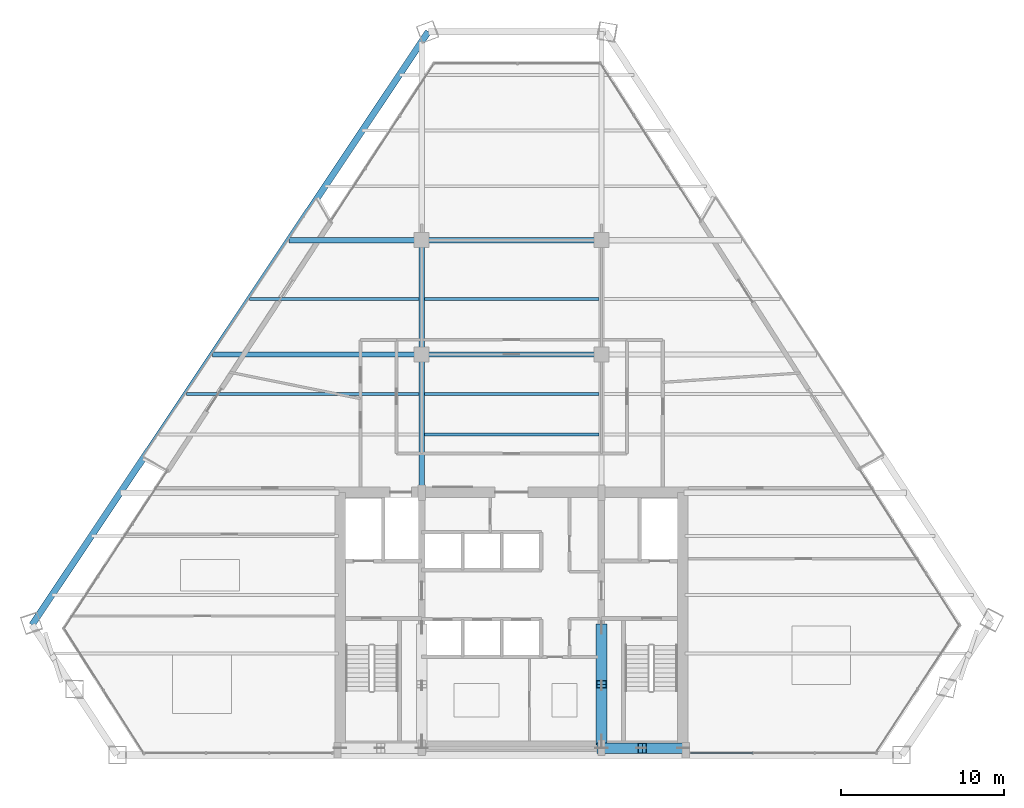
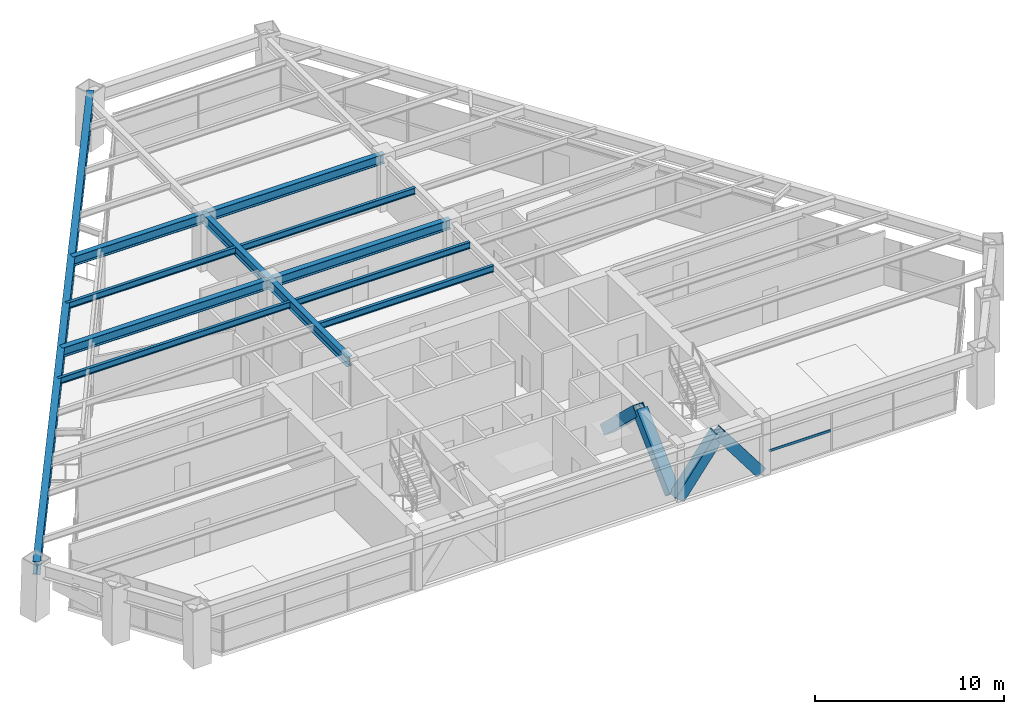
# One storey, part 5 of 14: 12 beams, 5 members, 1 element without a shape of its own.
"""IFC4 building model written with IfcOpenShell, lengths in metres."""

from ifc_helpers import new_model, si_unit, direction, frame, origin, origin_2d, place, context, subcontext, project, spatial, rectangle, hollow_rectangle, i_section, extrude, source, transform, mapped, material, material_profile, profile_set, type_object, type_shapes, element, aggregate, save


model = new_model("IFC4")

# Units and contexts
model_context = context("Model", 3, precision=1e-05, world=origin(), true_north=direction((0.0, 1.0)))
body_context = subcontext(model_context, "Body", "Model", "MODEL_VIEW")
ifc_project = project(units=[si_unit("LENGTHUNIT", "METRE"), si_unit("AREAUNIT", "SQUARE_METRE"), si_unit("VOLUMEUNIT", "CUBIC_METRE"), si_unit("PLANEANGLEUNIT", "RADIAN"), si_unit("MASSUNIT", "GRAM", prefix="KILO")], contexts=[model_context])

# Site, building, storey
site_placement = place(None, origin())
site = spatial("IfcSite", under=ifc_project, at=site_placement, CompositionType="ELEMENT")
building_placement = place(site_placement, origin())
building = spatial("IfcBuilding", under=site, at=building_placement, Name="Varnakhor Terracotta Tower", CompositionType="ELEMENT")
storey_placement = place(building_placement, frame((0.0, 0.0, 133.0)))
storey = spatial("IfcBuildingStorey", under=building, at=storey_placement, Name="L33", CompositionType="ELEMENT", Elevation=133.0)

# Beams
ifc_material_1 = material(Name="Steel S355", Category="steel")
ifc_material_profile_1 = material_profile(ifc_material_1, i_section(OverallWidth=0.324951171875, OverallDepth=0.615966796875, WebThickness=0.013916015625, FlangeThickness=0.02197265625, FilletRadius=0.01806640625, at=origin_2d()), Name="W24X117")
ifc_profile_set_1 = profile_set([ifc_material_profile_1], Name="Steel S355")
beam_type_1 = type_object("IfcBeamType", Name="BM-W24X117", PredefinedType="BEAM", material=ifc_profile_set_1)
shared_shape_1 = source(origin(), body_context, "Body", "SweptSolid", [
    extrude(i_section(OverallWidth=0.324951171875, OverallDepth=0.615966796875, WebThickness=0.013916015625, FlangeThickness=0.02197265625, FilletRadius=0.01806640625, at=origin_2d()), origin(), (0.0, 0.0, 1.0), 8.449951171875),
])
type_shapes(beam_type_1, [shared_shape_1])
beam_1_placement = place(storey_placement, frame((-5.5, 16.050048828125, 3.162109375), z_axis=(0.0, 1.0, 0.0), x_axis=(-1.0, 0.0, 0.0)))
element("IfcBeam", 1, at=beam_1_placement, inside=storey, type_object=beam_type_1, Name="L33 Primary Girder NS1-W", PredefinedType="BEAM", context=body_context, shape_type="MappedRepresentation", body=[
    mapped(shared_shape_1, transform((0.0, 0.0, 0.0), scale=1.0)),
])
shared_shape_2 = source(origin(), body_context, "Body", "SweptSolid", [
    extrude(i_section(OverallWidth=0.324951171875, OverallDepth=0.615966796875, WebThickness=0.013916015625, FlangeThickness=0.02197265625, FilletRadius=0.01806640625, at=origin_2d()), origin(), (0.0, 0.0, 1.0), 7.0),
])
beam_2_placement = place(storey_placement, frame((-5.5, 24.5, 3.162109375), z_axis=(0.0, 1.0, 0.0), x_axis=(-1.0, 0.0, 0.0)))
element("IfcBeam", 2, at=beam_2_placement, inside=storey, type_object=beam_type_1, Name="L33 Primary Girder NS2-W", PredefinedType="BEAM", context=body_context, shape_type="MappedRepresentation", body=[
    mapped(shared_shape_2, transform((0.0, 0.0, 0.0), scale=1.0)),
])
shared_shape_3 = source(origin(), body_context, "Body", "SweptSolid", [
    extrude(i_section(OverallWidth=0.324951171875, OverallDepth=0.615966796875, WebThickness=0.013916015625, FlangeThickness=0.02197265625, FilletRadius=0.01806640625, at=origin_2d()), origin(), (0.0, 0.0, 1.0), 11.0),
])
for number, where, z_axis, x_axis, name in (
    (3, (-5.5, 24.5, 3.162109375), (1.0, 0.0, 0.0), (0.0, 1.0, 0.0), "L33 Primary Girder EW2-2"),
    (4, (-5.5, 31.5, 3.162109375), (1.0, 0.0, 0.0), (0.0, 1.0, 0.0), "L33 Primary Girder EW3-2"),
):
    element("IfcBeam", number, at=place(storey_placement, frame(where, z_axis=z_axis, x_axis=x_axis)), inside=storey, type_object=beam_type_1, Name=name, PredefinedType="BEAM", context=body_context, shape_type="MappedRepresentation", body=[
        mapped(shared_shape_3, transform((0.0, 0.0, 0.0), scale=1.0)),
    ])
ifc_material_profile_2 = material_profile(ifc_material_1, i_section(OverallWidth=0.179931640625, OverallDepth=0.4130859375, WebThickness=0.009765625, FlangeThickness=0.01611328125, FilletRadius=0.01806640625, at=origin_2d()), Name="W16X50")
ifc_profile_set_2 = profile_set([ifc_material_profile_2], Name="Steel S355")
beam_type_2 = type_object("IfcBeamType", Name="JST-W16X50", PredefinedType="JOIST", material=ifc_profile_set_2)
shared_shape_4 = source(origin(), body_context, "Body", "SweptSolid", [
    extrude(i_section(OverallWidth=0.179931640625, OverallDepth=0.4130859375, WebThickness=0.009765625, FlangeThickness=0.01611328125, FilletRadius=0.01806640625, at=origin_2d()), origin(), (0.0, 0.0, 1.0), 10.68310546875),
])
for number, where, z_axis, x_axis, name in (
    (5, (-5.341552734375, 19.60009765625, 3.263427734375), (1.0, 0.0, 0.0), (0.0, 1.0, 0.0), "L33 Composite Floor Joist 4-2"),
    (6, (-5.341552734375, 22.10009765625, 3.263427734375), (1.0, 0.0, 0.0), (0.0, 1.0, 0.0), "L33 Composite Floor Joist 5-2"),
    (7, (-5.341552734375, 27.89990234375, 3.263427734375), (1.0, 0.0, 0.0), (0.0, 1.0, 0.0), "L33 Composite Floor Joist 6-2"),
):
    element("IfcBeam", number, at=place(storey_placement, frame(where, z_axis=z_axis, x_axis=x_axis)), inside=storey, type_object=beam_type_2, Name=name, PredefinedType="JOIST", context=body_context, shape_type="MappedRepresentation", body=[
        mapped(shared_shape_4, transform((0.0, 0.0, 0.0), scale=1.0)),
    ])

# Members
ifc_material_2 = material(Name="Steel S460", Category="steel")
ifc_material_profile_3 = material_profile(ifc_material_2, hollow_rectangle(XDim=0.64990234375, YDim=0.64990234375, WallThickness=0.0400390625, at=origin_2d()), Name="HSS650X650X40")
ifc_profile_set_3 = profile_set([ifc_material_profile_3], Name="Steel S460")
member_type_1 = type_object("IfcMemberType", Name="MBR-MEGA-650", PredefinedType="BRACE", material=ifc_profile_set_3)
shared_shape_5 = source(origin(), body_context, "Body", "SweptSolid", [
    extrude(hollow_rectangle(XDim=0.64990234375, YDim=0.64990234375, WallThickness=0.0400390625, at=origin_2d()), origin(), (0.0, 0.0, 1.0), 4.805908203125),
])
member_1_placement = place(storey_placement, frame((5.5, 0.85009765625, 0.0), z_axis=(0.0, 0.723026776832, 0.69082000549), x_axis=(-1.0, 0.0, 0.0)))
element("IfcMember", 8, at=member_1_placement, inside=storey, type_object=member_type_1, Name="L33 Core Coupled Brace CWEA", PredefinedType="BRACE", context=body_context, shape_type="MappedRepresentation", body=[
    mapped(shared_shape_5, transform((0.0, 0.0, 0.0), scale=1.0)),
])
shared_shape_6 = source(origin(), body_context, "Body", "SweptSolid", [
    extrude(hollow_rectangle(XDim=0.64990234375, YDim=0.64990234375, WallThickness=0.0400390625, at=origin_2d()), origin(), (0.0, 0.0, 1.0), 4.156005859375),
])
for number, where, z_axis, x_axis, name in (
    (9, (5.5, 0.419921875, 0.0), (0.601530923869, 0.0, 0.798849515009), (0.0, 1.0, 0.0), "L33 Core Coupled Brace CSEA"),
    (10, (10.5, 0.419921875, 0.0), (-0.601530923869, 0.0, 0.798849515009), (0.0, -1.0, 0.0), "L33 Core Coupled Brace CSEB"),
):
    element("IfcMember", number, at=place(storey_placement, frame(where, z_axis=z_axis, x_axis=x_axis)), inside=storey, type_object=member_type_1, Name=name, PredefinedType="BRACE", context=body_context, shape_type="MappedRepresentation", body=[
        mapped(shared_shape_6, transform((0.0, 0.0, 0.0), scale=1.0)),
    ])
shared_shape_7 = source(origin(), body_context, "Body", "SweptSolid", [
    extrude(hollow_rectangle(XDim=0.64990234375, YDim=0.64990234375, WallThickness=0.0400390625, at=origin_2d()), origin(), (0.0, 0.0, 1.0), 4.80615234375),
])
member_2_placement = place(storey_placement, frame((5.5, 7.800048828125, 0.0), z_axis=(0.0, -0.723051018573, 0.690794632681), x_axis=(1.0, 0.0, 0.0)))
element("IfcMember", 11, at=member_2_placement, inside=storey, type_object=member_type_1, Name="L33 Core Coupled Brace CWEB", PredefinedType="BRACE", context=body_context, shape_type="MappedRepresentation", body=[
    mapped(shared_shape_7, transform((0.0, 0.0, 0.0), scale=1.0)),
])

# Beams
ifc_material_profile_4 = material_profile(ifc_material_1, i_section(OverallWidth=0.39990234375, OverallDepth=0.85498046875, WebThickness=0.01806640625, FlangeThickness=0.029052734375, FilletRadius=0.01806640625, at=origin_2d()), Name="W33X201")
ifc_profile_set_4 = profile_set([ifc_material_profile_4], Name="Steel S355")
beam_type_3 = type_object("IfcBeamType", Name="BM-W33X201", PredefinedType="BEAM", material=ifc_profile_set_4)
shared_shape_8 = source(origin(), body_context, "Body", "SweptSolid", [
    extrude(i_section(OverallWidth=0.39990234375, OverallDepth=0.85498046875, WebThickness=0.01806640625, FlangeThickness=0.029052734375, FilletRadius=0.01806640625, at=origin_2d()), origin(), (0.0, 0.0, 1.0), 43.660400390625),
])
beam_3_placement = place(storey_placement, frame((-5.089599609375, 44.266357421875, 3.04248046875), z_axis=(-0.55549999647, -0.831516538574, 0.0), x_axis=(0.831516538574, -0.55549999647, 0.0)))
element("IfcBeam", 12, at=beam_3_placement, inside=storey, type_object=beam_type_3, Name="L33 Perimeter Spandrel 6", PredefinedType="BEAM", context=body_context, shape_type="MappedRepresentation", body=[
    mapped(shared_shape_8, transform((0.0, 0.0, 0.0), scale=1.0)),
])
shared_shape_9 = source(origin(), body_context, "Body", "SweptSolid", [
    extrude(i_section(OverallWidth=0.324951171875, OverallDepth=0.615966796875, WebThickness=0.013916015625, FlangeThickness=0.02197265625, FilletRadius=0.01806640625, at=origin_2d()), origin(), (0.0, 0.0, 1.0), 12.794677734375),
])
beam_4_placement = place(storey_placement, frame((-18.294677734375, 24.5, 3.162109375), z_axis=(1.0, 0.0, 0.0), x_axis=(0.0, 1.0, 0.0)))
element("IfcBeam", 13, at=beam_4_placement, inside=storey, type_object=beam_type_1, Name="L33 Primary Girder EW2-1", PredefinedType="BEAM", context=body_context, shape_type="MappedRepresentation", body=[
    mapped(shared_shape_9, transform((0.0, 0.0, 0.0), scale=1.0)),
])
shared_shape_10 = source(origin(), body_context, "Body", "SweptSolid", [
    extrude(i_section(OverallWidth=0.324951171875, OverallDepth=0.615966796875, WebThickness=0.013916015625, FlangeThickness=0.02197265625, FilletRadius=0.01806640625, at=origin_2d()), origin(), (0.0, 0.0, 1.0), 8.1181640625),
])
beam_5_placement = place(storey_placement, frame((-13.6181640625, 31.5, 3.162109375), z_axis=(1.0, 0.0, 0.0), x_axis=(0.0, 1.0, 0.0)))
element("IfcBeam", 14, at=beam_5_placement, inside=storey, type_object=beam_type_1, Name="L33 Primary Girder EW3-1", PredefinedType="BEAM", context=body_context, shape_type="MappedRepresentation", body=[
    mapped(shared_shape_10, transform((0.0, 0.0, 0.0), scale=1.0)),
])
shared_shape_11 = source(origin(), body_context, "Body", "SweptSolid", [
    extrude(i_section(OverallWidth=0.179931640625, OverallDepth=0.4130859375, WebThickness=0.009765625, FlangeThickness=0.01611328125, FilletRadius=0.01806640625, at=origin_2d()), origin(), (0.0, 0.0, 1.0), 14.239501953125),
])
beam_6_placement = place(storey_placement, frame((-19.89794921875, 22.10009765625, 3.263427734375), z_axis=(1.0, 0.0, 0.0), x_axis=(0.0, 1.0, 0.0)))
element("IfcBeam", 15, at=beam_6_placement, inside=storey, type_object=beam_type_2, Name="L33 Composite Floor Joist 5-1", PredefinedType="JOIST", context=body_context, shape_type="MappedRepresentation", body=[
    mapped(shared_shape_11, transform((0.0, 0.0, 0.0), scale=1.0)),
])
shared_shape_12 = source(origin(), body_context, "Body", "SweptSolid", [
    extrude(i_section(OverallWidth=0.179931640625, OverallDepth=0.4130859375, WebThickness=0.009765625, FlangeThickness=0.01611328125, FilletRadius=0.01806640625, at=origin_2d()), origin(), (0.0, 0.0, 1.0), 10.36474609375),
])
beam_7_placement = place(storey_placement, frame((-16.023193359375, 27.89990234375, 3.263427734375), z_axis=(1.0, 0.0, 0.0), x_axis=(0.0, 1.0, 0.0)))
element("IfcBeam", 16, at=beam_7_placement, inside=storey, type_object=beam_type_2, Name="L33 Composite Floor Joist 6-1", PredefinedType="JOIST", context=body_context, shape_type="MappedRepresentation", body=[
    mapped(shared_shape_12, transform((0.0, 0.0, 0.0), scale=1.0)),
])

# Curtain wall, member
ifc_material_3 = material(Name="Anodised Aluminium Curtain Wall System", Category="aluminium")
curtain_wall_type = type_object("IfcCurtainWallType", Name="CW-SYS-MID-OFFICE", PredefinedType="NOTDEFINED", material=ifc_material_3)
curtain_wall_placement = place(storey_placement, origin())
curtain_wall = element("IfcCurtainWall", 17, at=curtain_wall_placement, inside=storey, type_object=curtain_wall_type, Name="L33 South Wing Curtain Wall SSE", PredefinedType="NOTDEFINED")
ifc_material_4 = material(Name="Anodised Aluminium 6063-T6", Category="aluminium")
ifc_material_profile_5 = material_profile(ifc_material_4, rectangle(XDim=0.070068359375, YDim=0.155029296875, at=origin_2d()), Name="ALU TRANSOM 70x155")
ifc_profile_set_5 = profile_set([ifc_material_profile_5], Name="Anodised Aluminium 6063-T6")
member_type_2 = type_object("IfcMemberType", Name="CWT-03", PredefinedType="USERDEFINED", material=ifc_profile_set_5)
shared_shape_13 = source(origin(), body_context, "Body", "SweptSolid", [
    extrude(rectangle(XDim=0.070068359375, YDim=0.155029296875, at=origin_2d()), origin(), (0.0, 0.0, 1.0), 3.7861328125),
])
member_3_placement = place(storey_placement, frame((14.756103515625, 0.1201171875, 1.281005859375), z_axis=(-1.0, 0.0, 0.0), x_axis=(0.0, -1.0, 0.0)))
member_3 = element("IfcMember", 18, at=member_3_placement, type_object=member_type_2, Name="L33 South Wing Curtain Wall SSE Transom 3", ObjectType="TRANSOM", PredefinedType="USERDEFINED", context=body_context, shape_type="MappedRepresentation", body=[
    mapped(shared_shape_13, transform((0.0, 0.0, 0.0), scale=1.0)),
])
aggregate(curtain_wall, [member_3])

save(model, "model.ifc")
